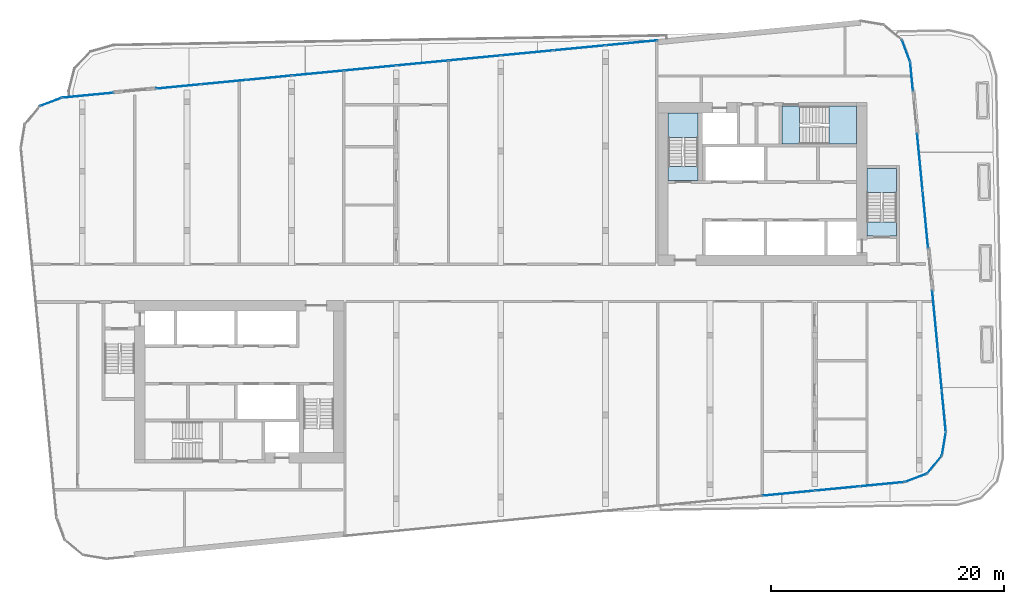
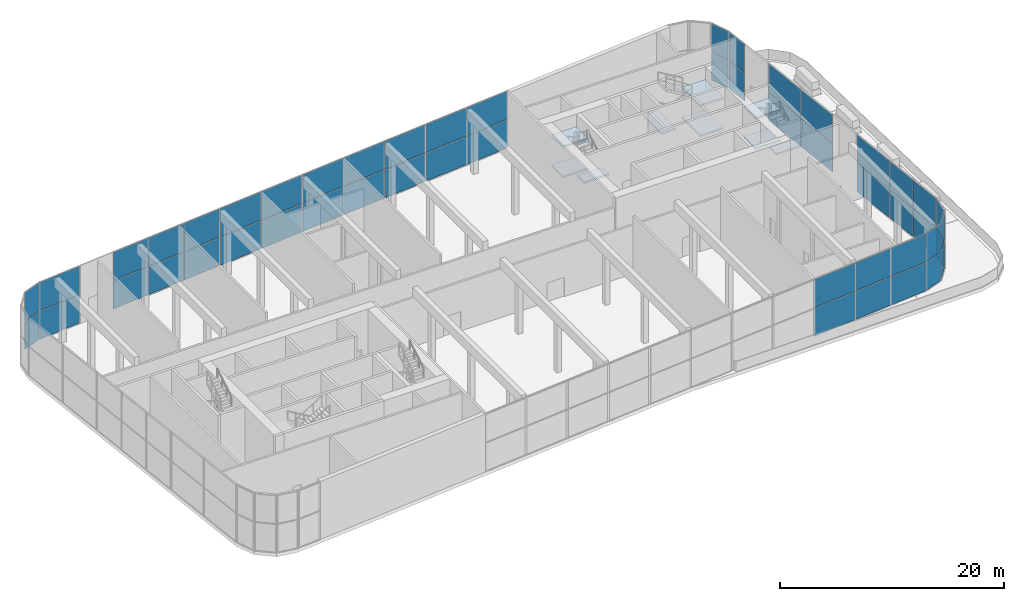
# One storey, part 10 of 24: 50 plates, 9 slabs, 19 elements without a shape of their own.
"""IFC4 building model written with IfcOpenShell, lengths in metres."""

import ifcopenshell
import ifcopenshell.guid

model = None  # the IFC model being written
_history = None  # IfcOwnerHistory: only IFC2X3 demands one
_inside = {}  # id of a spatial element -> (the spatial element, [elements in it])
_under = {}  # id of a project, library or spatial element -> (it, [spatial elements below it])
_declared = {}  # id of a project -> (the project, [libraries it declares])
_typed = {}  # id of a type object -> (the type object, [elements of that type])
_made_of = {}  # id of a material, layer set ... -> (it, [elements and type objects made of it])


def new_model(schema):
    """Start an empty IFC model of exactly this schema.

    Asked for "IFC4X3", IfcOpenShell would pick the latest addendum, in which some entities
    have other attributes; the version numbers below select the first issue.
    IFC2X3 requires an IfcOwnerHistory on every rooted entity: one is made here for all.
    """
    global model, _history
    if schema == "IFC4X3":
        model = ifcopenshell.file(schema_version=(4, 3, 0, 0))
    else:
        model = ifcopenshell.file(schema=schema)
    _inside.clear()
    _under.clear()
    _declared.clear()
    _typed.clear()
    _made_of.clear()
    _history = None
    if model.schema == "IFC2X3":
        org = make("IfcOrganization", Name="unknown")
        user = make(
            "IfcPersonAndOrganization",
            ThePerson=make("IfcPerson", FamilyName="unknown"),
            TheOrganization=org,
        )
        app = make(
            "IfcApplication",
            ApplicationDeveloper=org,
            Version="unknown",
            ApplicationFullName="unknown",
            ApplicationIdentifier="unknown",
        )
        _history = make(
            "IfcOwnerHistory",
            OwningUser=user,
            OwningApplication=app,
            ChangeAction="ADDED",
            CreationDate=0,
        )
    return model


def make(cls, **values):
    """One entity of the class cls with the attributes given. An attribute that is None is left unset."""
    return model.create_entity(
        cls, **{name: value for name, value in values.items() if value is not None}
    )


def rooted(cls, **values):
    """An entity with a GlobalId (a new one), such as an element, a storey or a relation."""
    return make(cls, GlobalId=ifcopenshell.guid.new(), OwnerHistory=_history, **values)


def si_unit(unit_type, name, prefix=None):
    """IfcSIUnit, for example si_unit("LENGTHUNIT", "METRE", prefix="MILLI")."""
    return make("IfcSIUnit", UnitType=unit_type, Prefix=prefix, Name=name)


def assignment(units):
    """IfcUnitAssignment: the units of a project."""
    return None if units is None else make("IfcUnitAssignment", Units=units)


def point(xyz):
    """IfcCartesianPoint."""
    return None if xyz is None else make("IfcCartesianPoint", Coordinates=xyz)


def direction(xyz):
    """IfcDirection."""
    return None if xyz is None else make("IfcDirection", DirectionRatios=xyz)


def frame(location, z_axis=None, x_axis=None):
    """IfcAxis2Placement3D, a coordinate frame: its origin and axes. An axis left out is left unset."""
    return make(
        "IfcAxis2Placement3D",
        Location=point(location),
        Axis=direction(z_axis),
        RefDirection=direction(x_axis),
    )


def frame_2d(location, x_axis=None):
    """IfcAxis2Placement2D, a coordinate frame in the plane: its origin and x axis."""
    return make(
        "IfcAxis2Placement2D", Location=point(location), RefDirection=direction(x_axis)
    )


def origin():
    """The frame at (0, 0, 0) with its axes left unset."""
    return frame((0.0, 0.0, 0.0))


def origin_2d():
    """The frame at (0, 0) in the plane with its x axis left unset."""
    return frame_2d((0.0, 0.0))


def place(relative_to, where):
    """IfcLocalPlacement: puts the frame where relative to a parent placement (None: the world)."""
    return make(
        "IfcLocalPlacement", PlacementRelTo=relative_to, RelativePlacement=where
    )


def context(
    kind, dimensions, precision=None, world=None, true_north=None, identifier=None
):
    """IfcGeometricRepresentationContext, for example the 3D "Model" context."""
    return make(
        "IfcGeometricRepresentationContext",
        ContextIdentifier=identifier,
        ContextType=kind,
        CoordinateSpaceDimension=dimensions,
        Precision=precision,
        WorldCoordinateSystem=world,
        TrueNorth=true_north,
    )


def subcontext(parent, identifier, kind, view, scale=None):
    """IfcGeometricRepresentationSubContext, for example "Body" below "Model"."""
    return make(
        "IfcGeometricRepresentationSubContext",
        ContextIdentifier=identifier,
        ContextType=kind,
        ParentContext=parent,
        TargetScale=scale,
        TargetView=view,
    )


def project(units=None, contexts=None):
    """IfcProject with its units and contexts."""
    return rooted(
        "IfcProject",
        Name="project",
        RepresentationContexts=contexts,
        UnitsInContext=assignment(units),
    )


def spatial(cls, under=None, at=None, **own):
    """A site, building, storey or space (cls), placed at a placement, below another one or the project."""
    s = rooted(cls, ObjectPlacement=at, **own)
    if under is not None:
        _under.setdefault(under.id(), (under, []))[1].append(s)
    return s


def polyline(points):
    """IfcPolyline through the points."""
    return make("IfcPolyline", Points=[point(p) for p in points])


def profile(cls, at=None, kind="AREA", **sizes):
    """A parametric profile (cls). Its sizes go by their IFC names, for example OverallWidth=200.0."""
    return make(cls, ProfileType=kind, Position=at, **sizes)


def rectangle(**sizes):
    """IfcRectangleProfileDef."""
    return profile("IfcRectangleProfileDef", **sizes)


def outline(outer, holes=None, kind="AREA"):
    """IfcArbitraryClosedProfileDef: a profile drawn as a closed curve; with holes, ...WithVoids."""
    if holes is None:
        return make("IfcArbitraryClosedProfileDef", ProfileType=kind, OuterCurve=outer)
    return make(
        "IfcArbitraryProfileDefWithVoids",
        ProfileType=kind,
        OuterCurve=outer,
        InnerCurves=holes,
    )


def extrude(swept, where, along, depth):
    """IfcExtrudedAreaSolid: the profile swept, set in the frame where, extruded along a direction by depth."""
    return make(
        "IfcExtrudedAreaSolid",
        SweptArea=swept,
        Position=where,
        ExtrudedDirection=direction(along),
        Depth=depth,
    )


def shape(context_of_items, identifier, shape_type, items):
    """IfcShapeRepresentation: the items that make up one representation, for example the "Body"."""
    return make(
        "IfcShapeRepresentation",
        ContextOfItems=context_of_items,
        RepresentationIdentifier=identifier,
        RepresentationType=shape_type,
        Items=items,
    )


def material(Name=None, Category=None):
    """IfcMaterial."""
    return make("IfcMaterial", Name=Name, Category=Category)


def layer(
    of_material, thickness, ventilated=None, Name=None, Category=None, Priority=None
):
    """IfcMaterialLayer: one layer of a wall or slab, of a material (None: an air gap)."""
    return make(
        "IfcMaterialLayer",
        Material=of_material,
        LayerThickness=thickness,
        IsVentilated=ventilated,
        Name=Name,
        Category=Category,
        Priority=Priority,
    )


def layer_set(layers, Name=None):
    """IfcMaterialLayerSet."""
    return make("IfcMaterialLayerSet", MaterialLayers=layers, LayerSetName=Name)


def made_of(thing, what):
    """Note that an element or type object is made of a material, layer set ...; save() writes the relation."""
    if what is not None:
        _made_of.setdefault(what.id(), (what, []))[1].append(thing)
    return thing


def type_object(cls, material=None, **own):
    """A type object (cls), such as IfcWallType, which elements share."""
    return made_of(rooted(cls, **own), material)


def element(
    cls,
    number,
    at=None,
    inside=None,
    cuts=None,
    type_object=None,
    material=None,
    context=None,
    identifier="Body",
    shape_type=None,
    held_by="IfcProductDefinitionShape",
    body=None,
    shapes=None,
    **own,
):
    """One element of the class cls, such as IfcWall. Its Tag is "e" and its number.

    at: its placement. inside: the storey or other place that contains it. cuts: it is an
    opening in that element (IfcRelVoidsElement). A single representation is given by context,
    identifier, shape_type and body (its items); several are given by shapes. held_by: the class
    of the entity that holds the representations. save() writes the other relations.
    """
    e = rooted(cls, Tag="e%d" % number, ObjectPlacement=at, **own)
    if body is not None:
        shapes = [shape(context, identifier, shape_type, body)]
    if shapes is not None:
        e.Representation = make(held_by, Representations=shapes)
    if inside is not None:
        _inside.setdefault(inside.id(), (inside, []))[1].append(e)
    if cuts is not None:
        rooted(
            "IfcRelVoidsElement", RelatingBuildingElement=cuts, RelatedOpeningElement=e
        )
    if type_object is not None:
        _typed.setdefault(type_object.id(), (type_object, []))[1].append(e)
    return made_of(e, material)


def aggregate(whole, parts):
    """IfcRelAggregates: a whole, such as a stair, and the parts it consists of."""
    return rooted("IfcRelAggregates", RelatingObject=whole, RelatedObjects=parts)


def save(model, path):
    """Write the relations noted so far, then the file.

    IfcRelAggregates (storeys below a building ...), IfcRelContainedInSpatialStructure (elements
    in a storey), IfcRelDefinesByType, IfcRelAssociatesMaterial and IfcRelDeclares: one each for
    every whole, place, type object, material and project.
    """
    for whole, parts in _under.values():
        aggregate(whole, parts)
    for where, things in _inside.values():
        rooted(
            "IfcRelContainedInSpatialStructure",
            RelatedElements=things,
            RelatingStructure=where,
        )
    for kind, things in _typed.values():
        rooted("IfcRelDefinesByType", RelatedObjects=things, RelatingType=kind)
    for what, things in _made_of.values():
        rooted("IfcRelAssociatesMaterial", RelatedObjects=things, RelatingMaterial=what)
    for by, libraries in _declared.values():
        rooted("IfcRelDeclares", RelatingContext=by, RelatedDefinitions=libraries)
    model.write(path)


model = new_model("IFC4")

# Units and contexts
model_context = context("Model", 3, precision=1e-05, world=origin(), true_north=direction((0.0, 1.0)))
body_context = subcontext(model_context, "Body", "Model", "MODEL_VIEW")
ifc_project = project(units=[si_unit("LENGTHUNIT", "METRE"), si_unit("AREAUNIT", "SQUARE_METRE"), si_unit("VOLUMEUNIT", "CUBIC_METRE"), si_unit("PLANEANGLEUNIT", "RADIAN"), si_unit("MASSUNIT", "GRAM", prefix="KILO")], contexts=[model_context])

# Site, building, storey
site_placement = place(None, origin())
site = spatial("IfcSite", under=ifc_project, at=site_placement, CompositionType="ELEMENT")
building_placement = place(site_placement, origin())
building = spatial("IfcBuilding", under=site, at=building_placement, Name="Kajstack Hotel Tower", CompositionType="ELEMENT")
storey_placement = place(building_placement, frame((0.0, 0.0, 261.89990234375)))
storey = spatial("IfcBuildingStorey", under=building, at=storey_placement, Name="L65", CompositionType="ELEMENT", Elevation=261.89990234375)

# Curtain wall, plates
ifc_material_1 = material(Name="Aluminium-framed curtain wall, low-iron insulated glass", Category="aluminium")
curtain_wall_type = type_object("IfcCurtainWallType", Name="CW-GARDEN", PredefinedType="NOTDEFINED", material=ifc_material_1)
curtain_wall_1_placement = place(storey_placement, origin())
curtain_wall_1 = element("IfcCurtainWall", 1, at=curtain_wall_1_placement, inside=storey, type_object=curtain_wall_type, Name="Curtain wall CU6 L65-04-02-3", PredefinedType="NOTDEFINED")
ifc_material_2 = material(Name="Low-iron insulated glass", Category="glass")
ifc_layer_1 = layer(ifc_material_2, 0.0400390625)
ifc_layer_set_1 = layer_set([ifc_layer_1], Name="CW-P-GARDEN")
plate_type = type_object("IfcPlateType", Name="CW-P-GARDEN", PredefinedType="CURTAIN_PANEL", material=ifc_layer_set_1)
plate_1_placement = place(storey_placement, frame((24.727783203125, -18.091552734375, 0.06005859375), z_axis=(0.0, 0.0, 1.0), x_axis=(0.99539615159, 0.09584623832, 0.0)))
plate_1 = element("IfcPlate", 2, at=plate_1_placement, type_object=plate_type, Name="CU6 panel 3.1", PredefinedType="CURTAIN_PANEL", context=body_context, shape_type="SweptSolid", body=[
    extrude(rectangle(XDim=4.430908203125, YDim=0.0400390625, at=origin_2d()), origin(), (0.0, 0.0, 1.0), 3.070068359375),
])
plate_2_placement = place(storey_placement, frame((24.727783203125, -18.091552734375, 3.18994140625), z_axis=(0.0, 0.0, 1.0), x_axis=(0.99539615159, 0.09584623832, 0.0)))
plate_2 = element("IfcPlate", 3, at=plate_2_placement, type_object=plate_type, Name="CU6 panel 3.2", PredefinedType="CURTAIN_PANEL", context=body_context, shape_type="SweptSolid", body=[
    extrude(rectangle(XDim=4.430908203125, YDim=0.0400390625, at=origin_2d()), origin(), (0.0, 0.0, 1.0), 3.070068359375),
])
aggregate(curtain_wall_1, [plate_1, plate_2])

curtain_wall_2_placement = place(storey_placement, origin())
curtain_wall_2 = element("IfcCurtainWall", 4, at=curtain_wall_2_placement, inside=storey, type_object=curtain_wall_type, Name="Curtain wall CU6 L65-04-02-4", PredefinedType="NOTDEFINED")
plate_3_placement = place(storey_placement, frame((28.947265625, -17.685302734375, 0.06005859375), z_axis=(0.0, 0.0, 1.0), x_axis=(0.995396142217, 0.09584633566, 0.0)))
plate_3 = element("IfcPlate", 5, at=plate_3_placement, type_object=plate_type, Name="CU6 panel 1.1", PredefinedType="CURTAIN_PANEL", context=body_context, shape_type="SweptSolid", body=[
    extrude(rectangle(XDim=3.806884765625, YDim=0.0400390625, at=origin_2d()), origin(), (0.0, 0.0, 1.0), 3.070068359375),
])
plate_4_placement = place(storey_placement, frame((28.947265625, -17.685302734375, 3.18994140625), z_axis=(0.0, 0.0, 1.0), x_axis=(0.995396142217, 0.09584633566, 0.0)))
plate_4 = element("IfcPlate", 6, at=plate_4_placement, type_object=plate_type, Name="CU6 panel 1.2", PredefinedType="CURTAIN_PANEL", context=body_context, shape_type="SweptSolid", body=[
    extrude(rectangle(XDim=3.806884765625, YDim=0.0400390625, at=origin_2d()), origin(), (0.0, 0.0, 1.0), 3.070068359375),
])
plate_5_placement = place(storey_placement, frame((32.79638671875, -17.314697265625, 0.06005859375), z_axis=(0.0, 0.0, 1.0), x_axis=(0.995396142217, 0.09584633566, 0.0)))
plate_5 = element("IfcPlate", 7, at=plate_5_placement, type_object=plate_type, Name="CU6 panel 2.1", PredefinedType="CURTAIN_PANEL", context=body_context, shape_type="SweptSolid", body=[
    extrude(rectangle(XDim=3.806884765625, YDim=0.0400390625, at=origin_2d()), origin(), (0.0, 0.0, 1.0), 3.070068359375),
])
plate_6_placement = place(storey_placement, frame((32.79638671875, -17.314697265625, 3.18994140625), z_axis=(0.0, 0.0, 1.0), x_axis=(0.995396142217, 0.09584633566, 0.0)))
plate_6 = element("IfcPlate", 8, at=plate_6_placement, type_object=plate_type, Name="CU6 panel 2.2", PredefinedType="CURTAIN_PANEL", context=body_context, shape_type="SweptSolid", body=[
    extrude(rectangle(XDim=3.806884765625, YDim=0.0400390625, at=origin_2d()), origin(), (0.0, 0.0, 1.0), 3.070068359375),
])
aggregate(curtain_wall_2, [plate_3, plate_4, plate_5, plate_6])

curtain_wall_3_placement = place(storey_placement, origin())
curtain_wall_3 = element("IfcCurtainWall", 9, at=curtain_wall_3_placement, inside=storey, type_object=curtain_wall_type, Name="Curtain wall CU6 L65-05-00-0", PredefinedType="NOTDEFINED")
plate_7_placement = place(storey_placement, frame((35.701416015625, -16.768310546875, 0.06005859375), z_axis=(0.0, 0.0, 1.0), x_axis=(0.936674082046, 0.3502023187, 0.0)))
plate_7 = element("IfcPlate", 10, at=plate_7_placement, type_object=plate_type, Name="CU6 panel 1.1", PredefinedType="CURTAIN_PANEL", context=body_context, shape_type="SweptSolid", body=[
    extrude(rectangle(XDim=1.950439453125, YDim=0.0400390625, at=origin_2d()), origin(), (0.0, 0.0, 1.0), 3.070068359375),
])
plate_8_placement = place(storey_placement, frame((35.701416015625, -16.768310546875, 3.18994140625), z_axis=(0.0, 0.0, 1.0), x_axis=(0.936674082046, 0.3502023187, 0.0)))
plate_8 = element("IfcPlate", 11, at=plate_8_placement, type_object=plate_type, Name="CU6 panel 1.2", PredefinedType="CURTAIN_PANEL", context=body_context, shape_type="SweptSolid", body=[
    extrude(rectangle(XDim=1.950439453125, YDim=0.0400390625, at=origin_2d()), origin(), (0.0, 0.0, 1.0), 3.070068359375),
])
aggregate(curtain_wall_3, [plate_7, plate_8])

curtain_wall_4_placement = place(storey_placement, origin())
curtain_wall_4 = element("IfcCurtainWall", 12, at=curtain_wall_4_placement, inside=storey, type_object=curtain_wall_type, Name="Curtain wall CU6 L65-06-00-0", PredefinedType="NOTDEFINED")
plate_9_placement = place(storey_placement, frame((37.298095703125, -15.629638671875, 0.06005859375), z_axis=(0.0, 0.0, 1.0), x_axis=(0.636066072627, 0.771634596978, 0.0)))
plate_9 = element("IfcPlate", 13, at=plate_9_placement, type_object=plate_type, Name="CU6 panel 1.1", PredefinedType="CURTAIN_PANEL", context=body_context, shape_type="SweptSolid", body=[
    extrude(rectangle(XDim=1.950439453125, YDim=0.0400390625, at=origin_2d()), origin(), (0.0, 0.0, 1.0), 3.070068359375),
])
plate_10_placement = place(storey_placement, frame((37.298095703125, -15.629638671875, 3.18994140625), z_axis=(0.0, 0.0, 1.0), x_axis=(0.636066072627, 0.771634596978, 0.0)))
plate_10 = element("IfcPlate", 14, at=plate_10_placement, type_object=plate_type, Name="CU6 panel 1.2", PredefinedType="CURTAIN_PANEL", context=body_context, shape_type="SweptSolid", body=[
    extrude(rectangle(XDim=1.950439453125, YDim=0.0400390625, at=origin_2d()), origin(), (0.0, 0.0, 1.0), 3.070068359375),
])
aggregate(curtain_wall_4, [plate_9, plate_10])

curtain_wall_5_placement = place(storey_placement, origin())
curtain_wall_5 = element("IfcCurtainWall", 15, at=curtain_wall_5_placement, inside=storey, type_object=curtain_wall_type, Name="Curtain wall CU6 L65-07-00-0", PredefinedType="NOTDEFINED")
plate_11_placement = place(storey_placement, frame((38.111328125, -13.844970703125, 0.06005859375), z_axis=(0.0, 0.0, 1.0), x_axis=(0.165080332276, 0.986280124455, 0.0)))
plate_11 = element("IfcPlate", 16, at=plate_11_placement, type_object=plate_type, Name="CU6 panel 1.1", PredefinedType="CURTAIN_PANEL", context=body_context, shape_type="SweptSolid", body=[
    extrude(rectangle(XDim=1.950439453125, YDim=0.0400390625, at=origin_2d()), origin(), (0.0, 0.0, 1.0), 3.070068359375),
])
plate_12_placement = place(storey_placement, frame((38.111328125, -13.844970703125, 3.18994140625), z_axis=(0.0, 0.0, 1.0), x_axis=(0.165080332276, 0.986280124455, 0.0)))
plate_12 = element("IfcPlate", 17, at=plate_12_placement, type_object=plate_type, Name="CU6 panel 1.2", PredefinedType="CURTAIN_PANEL", context=body_context, shape_type="SweptSolid", body=[
    extrude(rectangle(XDim=1.950439453125, YDim=0.0400390625, at=origin_2d()), origin(), (0.0, 0.0, 1.0), 3.070068359375),
])
aggregate(curtain_wall_5, [plate_11, plate_12])

curtain_wall_6_placement = place(storey_placement, origin())
curtain_wall_6 = element("IfcCurtainWall", 18, at=curtain_wall_6_placement, inside=storey, type_object=curtain_wall_type, Name="Curtain wall CU6 L65-08-00-0", PredefinedType="NOTDEFINED")
plate_13_placement = place(storey_placement, frame((38.1083984375, -11.04443359375, 0.06005859375), z_axis=(0.0, 0.0, 1.0), x_axis=(-0.095846797555, 0.995396097741, 0.0)))
plate_13 = element("IfcPlate", 19, at=plate_13_placement, type_object=plate_type, Name="CU6 panel 1.1", PredefinedType="CURTAIN_PANEL", context=body_context, shape_type="SweptSolid", body=[
    extrude(rectangle(XDim=3.49462890625, YDim=0.0400390625, at=origin_2d()), origin(), (0.0, 0.0, 1.0), 3.070068359375),
])
plate_14_placement = place(storey_placement, frame((38.1083984375, -11.04443359375, 3.18994140625), z_axis=(0.0, 0.0, 1.0), x_axis=(-0.095846797555, 0.995396097741, 0.0)))
plate_14 = element("IfcPlate", 20, at=plate_14_placement, type_object=plate_type, Name="CU6 panel 1.2", PredefinedType="CURTAIN_PANEL", context=body_context, shape_type="SweptSolid", body=[
    extrude(rectangle(XDim=3.49462890625, YDim=0.0400390625, at=origin_2d()), origin(), (0.0, 0.0, 1.0), 3.070068359375),
])
plate_15_placement = place(storey_placement, frame((37.767822265625, -7.506103515625, 0.06005859375), z_axis=(0.0, 0.0, 1.0), x_axis=(-0.095846797555, 0.995396097741, 0.0)))
plate_15 = element("IfcPlate", 21, at=plate_15_placement, type_object=plate_type, Name="CU6 panel 2.1", PredefinedType="CURTAIN_PANEL", context=body_context, shape_type="SweptSolid", body=[
    extrude(rectangle(XDim=3.49462890625, YDim=0.0400390625, at=origin_2d()), origin(), (0.0, 0.0, 1.0), 3.070068359375),
])
plate_16_placement = place(storey_placement, frame((37.767822265625, -7.506103515625, 3.18994140625), z_axis=(0.0, 0.0, 1.0), x_axis=(-0.095846797555, 0.995396097741, 0.0)))
plate_16 = element("IfcPlate", 22, at=plate_16_placement, type_object=plate_type, Name="CU6 panel 2.2", PredefinedType="CURTAIN_PANEL", context=body_context, shape_type="SweptSolid", body=[
    extrude(rectangle(XDim=3.49462890625, YDim=0.0400390625, at=origin_2d()), origin(), (0.0, 0.0, 1.0), 3.070068359375),
])
aggregate(curtain_wall_6, [plate_13, plate_14, plate_15, plate_16])

curtain_wall_7_placement = place(storey_placement, origin())
curtain_wall_7 = element("IfcCurtainWall", 23, at=curtain_wall_7_placement, inside=storey, type_object=curtain_wall_type, Name="Curtain wall CU6 L65-08-00-1", PredefinedType="NOTDEFINED")
plate_17_placement = place(storey_placement, frame((37.3486328125, -3.153076171875, 0.06005859375), z_axis=(0.0, 0.0, 1.0), x_axis=(-0.09584667412, 0.995396109627, 0.0)))
plate_17 = element("IfcPlate", 24, at=plate_17_placement, type_object=plate_type, Name="CU6 panel 1.1", PredefinedType="CURTAIN_PANEL", context=body_context, shape_type="SweptSolid", body=[
    extrude(rectangle(XDim=5.011962890625, YDim=0.0400390625, at=origin_2d()), origin(), (0.0, 0.0, 1.0), 3.070068359375),
])
plate_18_placement = place(storey_placement, frame((37.3486328125, -3.153076171875, 3.18994140625), z_axis=(0.0, 0.0, 1.0), x_axis=(-0.09584667412, 0.995396109627, 0.0)))
plate_18 = element("IfcPlate", 25, at=plate_18_placement, type_object=plate_type, Name="CU6 panel 1.2", PredefinedType="CURTAIN_PANEL", context=body_context, shape_type="SweptSolid", body=[
    extrude(rectangle(XDim=5.011962890625, YDim=0.0400390625, at=origin_2d()), origin(), (0.0, 0.0, 1.0), 3.070068359375),
])
aggregate(curtain_wall_7, [plate_17, plate_18])

curtain_wall_8_placement = place(storey_placement, origin())
curtain_wall_8 = element("IfcCurtainWall", 26, at=curtain_wall_8_placement, inside=storey, type_object=curtain_wall_type, Name="Curtain wall CU6 L65-08-02-0", PredefinedType="NOTDEFINED")
plate_19_placement = place(storey_placement, frame((36.517333984375, 5.478515625, 0.06005859375), z_axis=(0.0, 0.0, 1.0), x_axis=(-0.095846844583, 0.995396093213, 0.0)))
plate_19 = element("IfcPlate", 27, at=plate_19_placement, type_object=plate_type, Name="CU6 panel 1.1", PredefinedType="CURTAIN_PANEL", context=body_context, shape_type="SweptSolid", body=[
    extrude(rectangle(XDim=4.891357421875, YDim=0.0400390625, at=origin_2d()), origin(), (0.0, 0.0, 1.0), 3.070068359375),
])
plate_20_placement = place(storey_placement, frame((36.517333984375, 5.478515625, 3.18994140625), z_axis=(0.0, 0.0, 1.0), x_axis=(-0.095846844583, 0.995396093213, 0.0)))
plate_20 = element("IfcPlate", 28, at=plate_20_placement, type_object=plate_type, Name="CU6 panel 1.2", PredefinedType="CURTAIN_PANEL", context=body_context, shape_type="SweptSolid", body=[
    extrude(rectangle(XDim=4.891357421875, YDim=0.0400390625, at=origin_2d()), origin(), (0.0, 0.0, 1.0), 3.070068359375),
])
plate_21_placement = place(storey_placement, frame((36.042724609375, 10.406982421875, 0.06005859375), z_axis=(0.0, 0.0, 1.0), x_axis=(-0.095846844583, 0.995396093213, 0.0)))
plate_21 = element("IfcPlate", 29, at=plate_21_placement, type_object=plate_type, Name="CU6 panel 2.1", PredefinedType="CURTAIN_PANEL", context=body_context, shape_type="SweptSolid", body=[
    extrude(rectangle(XDim=4.891357421875, YDim=0.0400390625, at=origin_2d()), origin(), (0.0, 0.0, 1.0), 3.070068359375),
])
plate_22_placement = place(storey_placement, frame((36.042724609375, 10.406982421875, 3.18994140625), z_axis=(0.0, 0.0, 1.0), x_axis=(-0.095846844583, 0.995396093213, 0.0)))
plate_22 = element("IfcPlate", 30, at=plate_22_placement, type_object=plate_type, Name="CU6 panel 2.2", PredefinedType="CURTAIN_PANEL", context=body_context, shape_type="SweptSolid", body=[
    extrude(rectangle(XDim=4.891357421875, YDim=0.0400390625, at=origin_2d()), origin(), (0.0, 0.0, 1.0), 3.070068359375),
])
aggregate(curtain_wall_8, [plate_19, plate_20, plate_21, plate_22])

curtain_wall_9_placement = place(storey_placement, origin())
curtain_wall_9 = element("IfcCurtainWall", 31, at=curtain_wall_9_placement, inside=storey, type_object=curtain_wall_type, Name="Curtain wall CU6 L65-08-04-0", PredefinedType="NOTDEFINED")
plate_23_placement = place(storey_placement, frame((35.336181640625, 17.746826171875, 0.06005859375), z_axis=(0.0, 0.0, 1.0), x_axis=(-0.095847026704, 0.995396075676, 0.0)))
plate_23 = element("IfcPlate", 32, at=plate_23_placement, type_object=plate_type, Name="CU6 panel 1.1", PredefinedType="CURTAIN_PANEL", context=body_context, shape_type="SweptSolid", body=[
    extrude(rectangle(XDim=2.416259765625, YDim=0.0400390625, at=origin_2d()), origin(), (0.0, 0.0, 1.0), 3.070068359375),
])
plate_24_placement = place(storey_placement, frame((35.336181640625, 17.746826171875, 3.18994140625), z_axis=(0.0, 0.0, 1.0), x_axis=(-0.095847026704, 0.995396075676, 0.0)))
plate_24 = element("IfcPlate", 33, at=plate_24_placement, type_object=plate_type, Name="CU6 panel 1.2", PredefinedType="CURTAIN_PANEL", context=body_context, shape_type="SweptSolid", body=[
    extrude(rectangle(XDim=2.416259765625, YDim=0.0400390625, at=origin_2d()), origin(), (0.0, 0.0, 1.0), 3.070068359375),
])
aggregate(curtain_wall_9, [plate_23, plate_24])

curtain_wall_10_placement = place(storey_placement, origin())
curtain_wall_10 = element("IfcCurtainWall", 34, at=curtain_wall_10_placement, inside=storey, type_object=curtain_wall_type, Name="Curtain wall CU6 L65-09-00-0", PredefinedType="NOTDEFINED")
plate_25_placement = place(storey_placement, frame((34.8564453125, 19.959716796875, 0.06005859375), z_axis=(0.0, 0.0, 1.0), x_axis=(-0.3502023187, 0.936674082046, 0.0)))
plate_25 = element("IfcPlate", 35, at=plate_25_placement, type_object=plate_type, Name="CU6 panel 1.1", PredefinedType="CURTAIN_PANEL", context=body_context, shape_type="SweptSolid", body=[
    extrude(rectangle(XDim=1.950439453125, YDim=0.0400390625, at=origin_2d()), origin(), (0.0, 0.0, 1.0), 3.070068359375),
])
plate_26_placement = place(storey_placement, frame((34.8564453125, 19.959716796875, 3.18994140625), z_axis=(0.0, 0.0, 1.0), x_axis=(-0.3502023187, 0.936674082046, 0.0)))
plate_26 = element("IfcPlate", 36, at=plate_26_placement, type_object=plate_type, Name="CU6 panel 1.2", PredefinedType="CURTAIN_PANEL", context=body_context, shape_type="SweptSolid", body=[
    extrude(rectangle(XDim=1.950439453125, YDim=0.0400390625, at=origin_2d()), origin(), (0.0, 0.0, 1.0), 3.070068359375),
])
aggregate(curtain_wall_10, [plate_25, plate_26])

curtain_wall_11_placement = place(storey_placement, origin())
curtain_wall_11 = element("IfcCurtainWall", 37, at=curtain_wall_11_placement, inside=storey, type_object=curtain_wall_type, Name="Curtain wall CU6 L65-12-01-0", PredefinedType="NOTDEFINED")
plate_27_placement = place(storey_placement, frame((11.2421875, 20.64404296875, 0.06005859375), z_axis=(0.0, 0.0, 1.0), x_axis=(-0.995396150344, -0.095846251263, 0.0)))
plate_27 = element("IfcPlate", 38, at=plate_27_placement, type_object=plate_type, Name="CU6 panel 1.1", PredefinedType="CURTAIN_PANEL", context=body_context, shape_type="SweptSolid", body=[
    extrude(rectangle(XDim=4.430908203125, YDim=0.0400390625, at=origin_2d()), origin(), (0.0, 0.0, 1.0), 3.070068359375),
])
plate_28_placement = place(storey_placement, frame((11.2421875, 20.64404296875, 3.18994140625), z_axis=(0.0, 0.0, 1.0), x_axis=(-0.995396150344, -0.095846251263, 0.0)))
plate_28 = element("IfcPlate", 39, at=plate_28_placement, type_object=plate_type, Name="CU6 panel 1.2", PredefinedType="CURTAIN_PANEL", context=body_context, shape_type="SweptSolid", body=[
    extrude(rectangle(XDim=4.430908203125, YDim=0.0400390625, at=origin_2d()), origin(), (0.0, 0.0, 1.0), 3.070068359375),
])
plate_29_placement = place(storey_placement, frame((6.772216796875, 20.213623046875, 0.06005859375), z_axis=(0.0, 0.0, 1.0), x_axis=(-0.995396150344, -0.095846251263, 0.0)))
plate_29 = element("IfcPlate", 40, at=plate_29_placement, type_object=plate_type, Name="CU6 panel 2.1", PredefinedType="CURTAIN_PANEL", context=body_context, shape_type="SweptSolid", body=[
    extrude(rectangle(XDim=4.430908203125, YDim=0.0400390625, at=origin_2d()), origin(), (0.0, 0.0, 1.0), 3.070068359375),
])
plate_30_placement = place(storey_placement, frame((6.772216796875, 20.213623046875, 3.18994140625), z_axis=(0.0, 0.0, 1.0), x_axis=(-0.995396150344, -0.095846251263, 0.0)))
plate_30 = element("IfcPlate", 41, at=plate_30_placement, type_object=plate_type, Name="CU6 panel 2.2", PredefinedType="CURTAIN_PANEL", context=body_context, shape_type="SweptSolid", body=[
    extrude(rectangle(XDim=4.430908203125, YDim=0.0400390625, at=origin_2d()), origin(), (0.0, 0.0, 1.0), 3.070068359375),
])
aggregate(curtain_wall_11, [plate_27, plate_28, plate_29, plate_30])

curtain_wall_12_placement = place(storey_placement, origin())
curtain_wall_12 = element("IfcCurtainWall", 42, at=curtain_wall_12_placement, inside=storey, type_object=curtain_wall_type, Name="Curtain wall CU6 L65-12-01-1", PredefinedType="NOTDEFINED")
plate_31_placement = place(storey_placement, frame((2.2421875, 19.777587890625, 0.06005859375), z_axis=(0.0, 0.0, 1.0), x_axis=(-0.99539615159, -0.09584623832, 0.0)))
plate_31 = element("IfcPlate", 43, at=plate_31_placement, type_object=plate_type, Name="CU6 panel 1.1", PredefinedType="CURTAIN_PANEL", context=body_context, shape_type="SweptSolid", body=[
    extrude(rectangle(XDim=4.430908203125, YDim=0.0400390625, at=origin_2d()), origin(), (0.0, 0.0, 1.0), 3.070068359375),
])
plate_32_placement = place(storey_placement, frame((2.2421875, 19.777587890625, 3.18994140625), z_axis=(0.0, 0.0, 1.0), x_axis=(-0.99539615159, -0.09584623832, 0.0)))
plate_32 = element("IfcPlate", 44, at=plate_32_placement, type_object=plate_type, Name="CU6 panel 1.2", PredefinedType="CURTAIN_PANEL", context=body_context, shape_type="SweptSolid", body=[
    extrude(rectangle(XDim=4.430908203125, YDim=0.0400390625, at=origin_2d()), origin(), (0.0, 0.0, 1.0), 3.070068359375),
])
plate_33_placement = place(storey_placement, frame((-2.242919921875, 19.345703125, 0.06005859375), z_axis=(0.0, 0.0, 1.0), x_axis=(-0.99539615159, -0.09584623832, 0.0)))
plate_33 = element("IfcPlate", 45, at=plate_33_placement, type_object=plate_type, Name="CU6 panel 2.1", PredefinedType="CURTAIN_PANEL", context=body_context, shape_type="SweptSolid", body=[
    extrude(rectangle(XDim=4.4609375, YDim=0.0400390625, at=origin_2d()), origin(), (0.0, 0.0, 1.0), 3.070068359375),
])
plate_34_placement = place(storey_placement, frame((-2.242919921875, 19.345703125, 3.18994140625), z_axis=(0.0, 0.0, 1.0), x_axis=(-0.99539615159, -0.09584623832, 0.0)))
plate_34 = element("IfcPlate", 46, at=plate_34_placement, type_object=plate_type, Name="CU6 panel 2.2", PredefinedType="CURTAIN_PANEL", context=body_context, shape_type="SweptSolid", body=[
    extrude(rectangle(XDim=4.4609375, YDim=0.0400390625, at=origin_2d()), origin(), (0.0, 0.0, 1.0), 3.070068359375),
])
plate_35_placement = place(storey_placement, frame((-6.727783203125, 18.913818359375, 0.06005859375), z_axis=(0.0, 0.0, 1.0), x_axis=(-0.99539615159, -0.09584623832, 0.0)))
plate_35 = element("IfcPlate", 47, at=plate_35_placement, type_object=plate_type, Name="CU6 panel 3.1", PredefinedType="CURTAIN_PANEL", context=body_context, shape_type="SweptSolid", body=[
    extrude(rectangle(XDim=4.430908203125, YDim=0.0400390625, at=origin_2d()), origin(), (0.0, 0.0, 1.0), 3.070068359375),
])
plate_36_placement = place(storey_placement, frame((-6.727783203125, 18.913818359375, 3.18994140625), z_axis=(0.0, 0.0, 1.0), x_axis=(-0.99539615159, -0.09584623832, 0.0)))
plate_36 = element("IfcPlate", 48, at=plate_36_placement, type_object=plate_type, Name="CU6 panel 3.2", PredefinedType="CURTAIN_PANEL", context=body_context, shape_type="SweptSolid", body=[
    extrude(rectangle(XDim=4.430908203125, YDim=0.0400390625, at=origin_2d()), origin(), (0.0, 0.0, 1.0), 3.070068359375),
])
aggregate(curtain_wall_12, [plate_31, plate_32, plate_33, plate_34, plate_35, plate_36])

curtain_wall_13_placement = place(storey_placement, origin())
curtain_wall_13 = element("IfcCurtainWall", 49, at=curtain_wall_13_placement, inside=storey, type_object=curtain_wall_type, Name="Curtain wall CU6 L65-12-01-2", PredefinedType="NOTDEFINED")
plate_37_placement = place(storey_placement, frame((-11.2578125, 18.4775390625, 0.06005859375), z_axis=(0.0, 0.0, 1.0), x_axis=(-0.995396139793, -0.095846360834, 0.0)))
plate_37 = element("IfcPlate", 50, at=plate_37_placement, type_object=plate_type, Name="CU6 panel 1.1", PredefinedType="CURTAIN_PANEL", context=body_context, shape_type="SweptSolid", body=[
    extrude(rectangle(XDim=4.430908203125, YDim=0.0400390625, at=origin_2d()), origin(), (0.0, 0.0, 1.0), 3.070068359375),
])
plate_38_placement = place(storey_placement, frame((-11.2578125, 18.4775390625, 3.18994140625), z_axis=(0.0, 0.0, 1.0), x_axis=(-0.995396139793, -0.095846360834, 0.0)))
plate_38 = element("IfcPlate", 51, at=plate_38_placement, type_object=plate_type, Name="CU6 panel 1.2", PredefinedType="CURTAIN_PANEL", context=body_context, shape_type="SweptSolid", body=[
    extrude(rectangle(XDim=4.430908203125, YDim=0.0400390625, at=origin_2d()), origin(), (0.0, 0.0, 1.0), 3.070068359375),
])
plate_39_placement = place(storey_placement, frame((-15.727783203125, 18.047119140625, 0.06005859375), z_axis=(0.0, 0.0, 1.0), x_axis=(-0.995396139793, -0.095846360834, 0.0)))
plate_39 = element("IfcPlate", 52, at=plate_39_placement, type_object=plate_type, Name="CU6 panel 2.1", PredefinedType="CURTAIN_PANEL", context=body_context, shape_type="SweptSolid", body=[
    extrude(rectangle(XDim=4.430908203125, YDim=0.0400390625, at=origin_2d()), origin(), (0.0, 0.0, 1.0), 3.070068359375),
])
plate_40_placement = place(storey_placement, frame((-15.727783203125, 18.047119140625, 3.18994140625), z_axis=(0.0, 0.0, 1.0), x_axis=(-0.995396139793, -0.095846360834, 0.0)))
plate_40 = element("IfcPlate", 53, at=plate_40_placement, type_object=plate_type, Name="CU6 panel 2.2", PredefinedType="CURTAIN_PANEL", context=body_context, shape_type="SweptSolid", body=[
    extrude(rectangle(XDim=4.430908203125, YDim=0.0400390625, at=origin_2d()), origin(), (0.0, 0.0, 1.0), 3.070068359375),
])
aggregate(curtain_wall_13, [plate_37, plate_38, plate_39, plate_40])

curtain_wall_14_placement = place(storey_placement, origin())
curtain_wall_14 = element("IfcCurtainWall", 54, at=curtain_wall_14_placement, inside=storey, type_object=curtain_wall_type, Name="Curtain wall CU6 L65-12-01-3", PredefinedType="NOTDEFINED")
plate_41_placement = place(storey_placement, frame((-19.959228515625, 17.6396484375, 0.06005859375), z_axis=(0.0, 0.0, 1.0), x_axis=(-0.995396145469, -0.095846301887, 0.0)))
plate_41 = element("IfcPlate", 55, at=plate_41_placement, type_object=plate_type, Name="CU6 panel 1.1", PredefinedType="CURTAIN_PANEL", context=body_context, shape_type="SweptSolid", body=[
    extrude(rectangle(XDim=3.830810546875, YDim=0.0400390625, at=origin_2d()), origin(), (0.0, 0.0, 1.0), 3.070068359375),
])
plate_42_placement = place(storey_placement, frame((-19.959228515625, 17.6396484375, 3.18994140625), z_axis=(0.0, 0.0, 1.0), x_axis=(-0.995396145469, -0.095846301887, 0.0)))
plate_42 = element("IfcPlate", 56, at=plate_42_placement, type_object=plate_type, Name="CU6 panel 1.2", PredefinedType="CURTAIN_PANEL", context=body_context, shape_type="SweptSolid", body=[
    extrude(rectangle(XDim=3.830810546875, YDim=0.0400390625, at=origin_2d()), origin(), (0.0, 0.0, 1.0), 3.070068359375),
])
plate_43_placement = place(storey_placement, frame((-23.846923828125, 17.265380859375, 0.06005859375), z_axis=(0.0, 0.0, 1.0), x_axis=(-0.995396145469, -0.095846301887, 0.0)))
plate_43 = element("IfcPlate", 57, at=plate_43_placement, type_object=plate_type, Name="CU6 panel 2.1", PredefinedType="CURTAIN_PANEL", context=body_context, shape_type="SweptSolid", body=[
    extrude(rectangle(XDim=3.86083984375, YDim=0.0400390625, at=origin_2d()), origin(), (0.0, 0.0, 1.0), 3.070068359375),
])
plate_44_placement = place(storey_placement, frame((-23.846923828125, 17.265380859375, 3.18994140625), z_axis=(0.0, 0.0, 1.0), x_axis=(-0.995396145469, -0.095846301887, 0.0)))
plate_44 = element("IfcPlate", 58, at=plate_44_placement, type_object=plate_type, Name="CU6 panel 2.2", PredefinedType="CURTAIN_PANEL", context=body_context, shape_type="SweptSolid", body=[
    extrude(rectangle(XDim=3.86083984375, YDim=0.0400390625, at=origin_2d()), origin(), (0.0, 0.0, 1.0), 3.070068359375),
])
plate_45_placement = place(storey_placement, frame((-27.73486328125, 16.89111328125, 0.06005859375), z_axis=(0.0, 0.0, 1.0), x_axis=(-0.995396145469, -0.095846301887, 0.0)))
plate_45 = element("IfcPlate", 59, at=plate_45_placement, type_object=plate_type, Name="CU6 panel 3.1", PredefinedType="CURTAIN_PANEL", context=body_context, shape_type="SweptSolid", body=[
    extrude(rectangle(XDim=3.830810546875, YDim=0.0400390625, at=origin_2d()), origin(), (0.0, 0.0, 1.0), 3.070068359375),
])
plate_46_placement = place(storey_placement, frame((-27.73486328125, 16.89111328125, 3.18994140625), z_axis=(0.0, 0.0, 1.0), x_axis=(-0.995396145469, -0.095846301887, 0.0)))
plate_46 = element("IfcPlate", 60, at=plate_46_placement, type_object=plate_type, Name="CU6 panel 3.2", PredefinedType="CURTAIN_PANEL", context=body_context, shape_type="SweptSolid", body=[
    extrude(rectangle(XDim=3.830810546875, YDim=0.0400390625, at=origin_2d()), origin(), (0.0, 0.0, 1.0), 3.070068359375),
])
aggregate(curtain_wall_14, [plate_41, plate_42, plate_43, plate_44, plate_45, plate_46])

curtain_wall_15_placement = place(storey_placement, origin())
curtain_wall_15 = element("IfcCurtainWall", 61, at=curtain_wall_15_placement, inside=storey, type_object=curtain_wall_type, Name="Curtain wall CU6 L65-12-03-0", PredefinedType="NOTDEFINED")
plate_47_placement = place(storey_placement, frame((-35.517578125, 16.1416015625, 0.06005859375), z_axis=(0.0, 0.0, 1.0), x_axis=(-0.995396140034, -0.095846358332, 0.0)))
plate_47 = element("IfcPlate", 62, at=plate_47_placement, type_object=plate_type, Name="CU6 panel 1.1", PredefinedType="CURTAIN_PANEL", context=body_context, shape_type="SweptSolid", body=[
    extrude(rectangle(XDim=4.3671875, YDim=0.0400390625, at=origin_2d()), origin(), (0.0, 0.0, 1.0), 3.070068359375),
])
plate_48_placement = place(storey_placement, frame((-35.517578125, 16.1416015625, 3.18994140625), z_axis=(0.0, 0.0, 1.0), x_axis=(-0.995396140034, -0.095846358332, 0.0)))
plate_48 = element("IfcPlate", 63, at=plate_48_placement, type_object=plate_type, Name="CU6 panel 1.2", PredefinedType="CURTAIN_PANEL", context=body_context, shape_type="SweptSolid", body=[
    extrude(rectangle(XDim=4.3671875, YDim=0.0400390625, at=origin_2d()), origin(), (0.0, 0.0, 1.0), 3.070068359375),
])
aggregate(curtain_wall_15, [plate_47, plate_48])

curtain_wall_16_placement = place(storey_placement, origin())
curtain_wall_16 = element("IfcCurtainWall", 64, at=curtain_wall_16_placement, inside=storey, type_object=curtain_wall_type, Name="Curtain wall CU6 L65-13-00-0", PredefinedType="NOTDEFINED")
plate_49_placement = place(storey_placement, frame((-38.701416015625, 15.568359375, 0.06005859375), z_axis=(0.0, 0.0, 1.0), x_axis=(-0.936674082046, -0.3502023187, 0.0)))
plate_49 = element("IfcPlate", 65, at=plate_49_placement, type_object=plate_type, Name="CU6 panel 1.1", PredefinedType="CURTAIN_PANEL", context=body_context, shape_type="SweptSolid", body=[
    extrude(rectangle(XDim=1.950439453125, YDim=0.0400390625, at=origin_2d()), origin(), (0.0, 0.0, 1.0), 3.070068359375),
])
plate_50_placement = place(storey_placement, frame((-38.701416015625, 15.568359375, 3.18994140625), z_axis=(0.0, 0.0, 1.0), x_axis=(-0.936674082046, -0.3502023187, 0.0)))
plate_50 = element("IfcPlate", 66, at=plate_50_placement, type_object=plate_type, Name="CU6 panel 1.2", PredefinedType="CURTAIN_PANEL", context=body_context, shape_type="SweptSolid", body=[
    extrude(rectangle(XDim=1.950439453125, YDim=0.0400390625, at=origin_2d()), origin(), (0.0, 0.0, 1.0), 3.070068359375),
])
aggregate(curtain_wall_16, [plate_49, plate_50])

# Stair, slabs
ifc_material_3 = material(Name="Concrete C40/50", Category="concrete")
stair_type_1 = type_object("IfcStairType", Name="Exit stair 1200", PredefinedType="HALF_TURN_STAIR", material=ifc_material_3)
stair_1_placement = place(storey_placement, origin())
stair_1 = element("IfcStair", 67, at=stair_1_placement, inside=storey, type_object=stair_type_1, Name="L65 stair E1", PredefinedType="HALF_TURN_STAIR")
ifc_layer_2 = layer(ifc_material_3, 0.199951171875)
ifc_layer_set_2 = layer_set([ifc_layer_2], Name="Stair landing 200")
slab_type = type_object("IfcSlabType", Name="Stair landing 200", PredefinedType="LANDING", material=ifc_layer_set_2)
slab_1_placement = place(storey_placement, frame((0.0, 0.0, 1.4501953125)))
slab_1 = element("IfcSlab", 68, at=slab_1_placement, type_object=slab_type, Name="E1 landing 1", PredefinedType="LANDING", context=body_context, shape_type="SweptSolid", body=[
    extrude(outline(polyline([(34.050048828125, 7.77001953125), (34.050048828125, 9.85009765625), (31.5, 9.85009765625), (31.5, 7.77001953125), (34.050048828125, 7.77001953125)])), origin(), (0.0, 0.0, 1.0), 0.199951171875),
])
slab_2_placement = place(storey_placement, frame((0.0, 0.0, 3.10009765625)))
slab_2 = element("IfcSlab", 69, at=slab_2_placement, type_object=slab_type, Name="E1 landing 2", PredefinedType="LANDING", context=body_context, shape_type="SweptSolid", body=[
    extrude(outline(polyline([(34.050048828125, 4.050048828125), (34.050048828125, 5.25), (31.5, 5.25), (31.5, 4.050048828125), (34.050048828125, 4.050048828125)])), origin(), (0.0, 0.0, 1.0), 0.199951171875),
])
slab_3_placement = place(storey_placement, frame((0.0, 0.0, 4.75)))
slab_3 = element("IfcSlab", 70, at=slab_3_placement, type_object=slab_type, Name="E1 landing 3", PredefinedType="LANDING", context=body_context, shape_type="SweptSolid", body=[
    extrude(outline(polyline([(34.050048828125, 7.77001953125), (34.050048828125, 9.85009765625), (31.5, 9.85009765625), (31.5, 7.77001953125), (34.050048828125, 7.77001953125)])), origin(), (0.0, 0.0, 1.0), 0.2001953125),
])
aggregate(stair_1, [slab_1, slab_2, slab_3])

stair_2_placement = place(storey_placement, origin())
stair_2 = element("IfcStair", 71, at=stair_2_placement, inside=storey, type_object=stair_type_1, Name="L65 stair E2", PredefinedType="HALF_TURN_STAIR")
slab_4_placement = place(storey_placement, frame((0.0, 0.0, 1.4501953125)))
slab_4 = element("IfcSlab", 72, at=slab_4_placement, type_object=slab_type, Name="E2 landing 1", PredefinedType="LANDING", context=body_context, shape_type="SweptSolid", body=[
    extrude(outline(polyline([(16.949951171875, 12.52001953125), (16.949951171875, 14.60009765625), (14.39990234375, 14.60009765625), (14.39990234375, 12.52001953125), (16.949951171875, 12.52001953125)])), origin(), (0.0, 0.0, 1.0), 0.199951171875),
])
slab_5_placement = place(storey_placement, frame((0.0, 0.0, 3.10009765625)))
slab_5 = element("IfcSlab", 73, at=slab_5_placement, type_object=slab_type, Name="E2 landing 2", PredefinedType="LANDING", context=body_context, shape_type="SweptSolid", body=[
    extrude(outline(polyline([(16.949951171875, 8.800048828125), (16.949951171875, 10.0), (14.39990234375, 10.0), (14.39990234375, 8.800048828125), (16.949951171875, 8.800048828125)])), origin(), (0.0, 0.0, 1.0), 0.199951171875),
])
slab_6_placement = place(storey_placement, frame((0.0, 0.0, 4.75)))
slab_6 = element("IfcSlab", 74, at=slab_6_placement, type_object=slab_type, Name="E2 landing 3", PredefinedType="LANDING", context=body_context, shape_type="SweptSolid", body=[
    extrude(outline(polyline([(16.949951171875, 12.52001953125), (16.949951171875, 14.60009765625), (14.39990234375, 14.60009765625), (14.39990234375, 12.52001953125), (16.949951171875, 12.52001953125)])), origin(), (0.0, 0.0, 1.0), 0.2001953125),
])
aggregate(stair_2, [slab_4, slab_5, slab_6])

stair_type_2 = type_object("IfcStairType", Name="Exit stair 1500", PredefinedType="HALF_TURN_STAIR", material=ifc_material_3)
stair_3_placement = place(storey_placement, origin())
stair_3 = element("IfcStair", 75, at=stair_3_placement, inside=storey, type_object=stair_type_2, Name="L65 stair E3", PredefinedType="HALF_TURN_STAIR")
slab_7_placement = place(storey_placement, frame((0.0, 0.0, 1.4501953125)))
slab_7 = element("IfcSlab", 76, at=slab_7_placement, type_object=slab_type, Name="E3 landing 1", PredefinedType="LANDING", context=body_context, shape_type="SweptSolid", body=[
    extrude(outline(polyline([(28.219970703125, 11.949951171875), (30.60009765625, 11.949951171875), (30.60009765625, 15.199951171875), (28.219970703125, 15.199951171875), (28.219970703125, 11.949951171875)])), origin(), (0.0, 0.0, 1.0), 0.199951171875),
])
slab_8_placement = place(storey_placement, frame((0.0, 0.0, 3.10009765625)))
slab_8 = element("IfcSlab", 77, at=slab_8_placement, type_object=slab_type, Name="E3 landing 2", PredefinedType="LANDING", context=body_context, shape_type="SweptSolid", body=[
    extrude(outline(polyline([(24.199951171875, 11.949951171875), (25.699951171875, 11.949951171875), (25.699951171875, 15.199951171875), (24.199951171875, 15.199951171875), (24.199951171875, 11.949951171875)])), origin(), (0.0, 0.0, 1.0), 0.199951171875),
])
slab_9_placement = place(storey_placement, frame((0.0, 0.0, 4.75)))
slab_9 = element("IfcSlab", 78, at=slab_9_placement, type_object=slab_type, Name="E3 landing 3", PredefinedType="LANDING", context=body_context, shape_type="SweptSolid", body=[
    extrude(outline(polyline([(28.219970703125, 11.949951171875), (30.60009765625, 11.949951171875), (30.60009765625, 15.199951171875), (28.219970703125, 15.199951171875), (28.219970703125, 11.949951171875)])), origin(), (0.0, 0.0, 1.0), 0.2001953125),
])
aggregate(stair_3, [slab_7, slab_8, slab_9])

save(model, "model.ifc")
